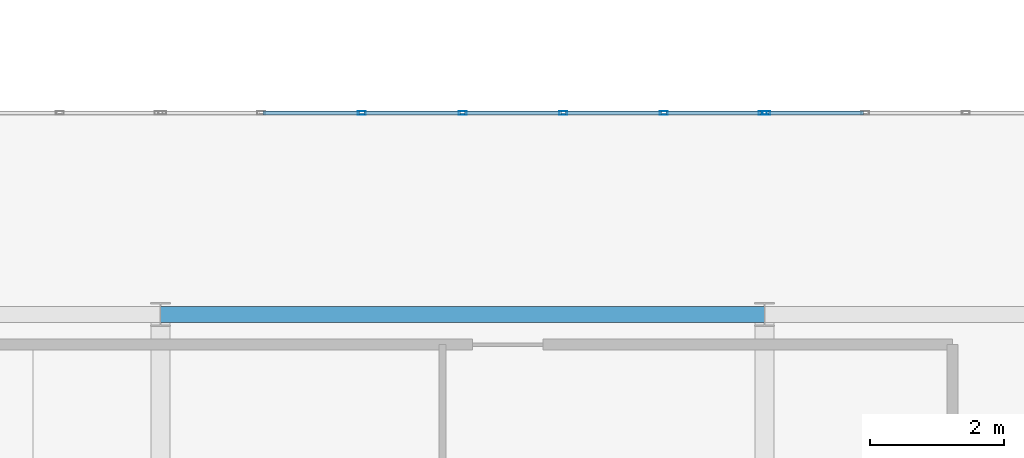
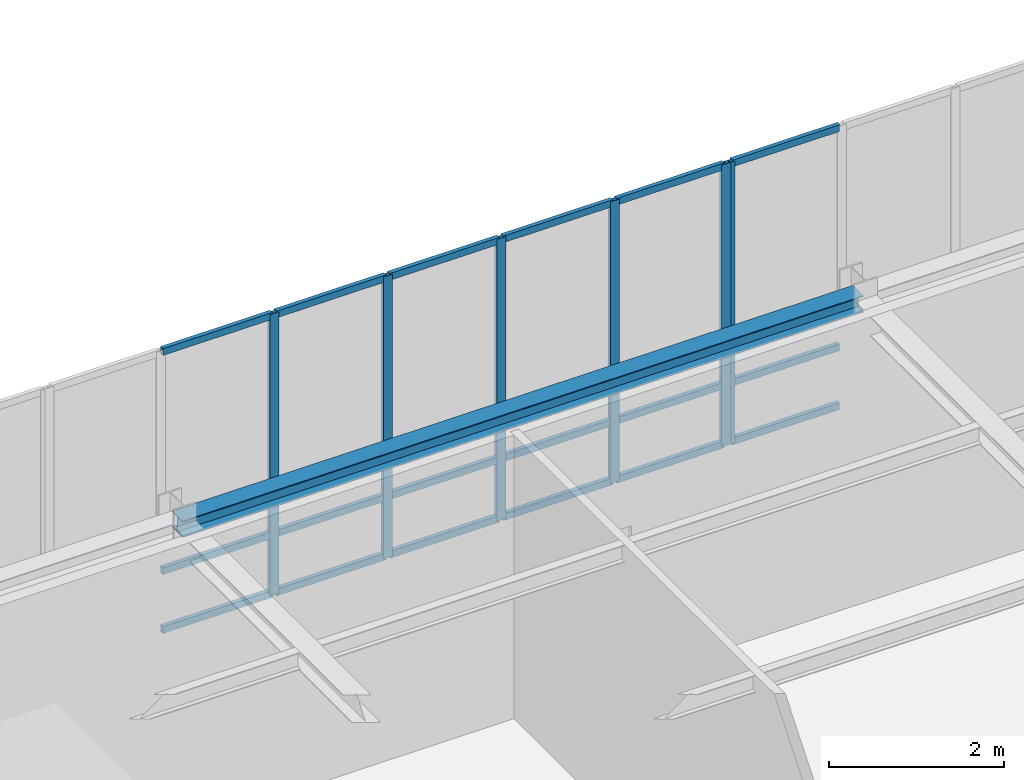
# One storey, part 24 of 97: 24 members, 1 beam, 2 elements without a shape of their own.
"""IFC4 building model written with IfcOpenShell, lengths in metres."""

from ifc_helpers import new_model, si_unit, direction, frame, origin, origin_2d, place, context, subcontext, project, spatial, hollow_rectangle, i_section, extrude, material, material_profile, profile_set, type_object, element, aggregate, save


model = new_model("IFC4")

# Units and contexts
model_context = context("Model", 3, precision=1e-05, world=origin(), true_north=direction((0.0, 1.0)))
body_context = subcontext(model_context, "Body", "Model", "MODEL_VIEW")
ifc_project = project(units=[si_unit("LENGTHUNIT", "METRE"), si_unit("AREAUNIT", "SQUARE_METRE"), si_unit("VOLUMEUNIT", "CUBIC_METRE"), si_unit("PLANEANGLEUNIT", "RADIAN"), si_unit("MASSUNIT", "GRAM", prefix="KILO")], contexts=[model_context])

# Site, building, storey
site_placement = place(None, origin())
site = spatial("IfcSite", under=ifc_project, at=site_placement, CompositionType="ELEMENT")
building_placement = place(site_placement, origin())
building = spatial("IfcBuilding", under=site, at=building_placement, Name="Lykobir Media Centre", CompositionType="ELEMENT")
storey_placement = place(building_placement, frame((0.0, 0.0, 23.39990234375)))
storey = spatial("IfcBuildingStorey", under=building, at=storey_placement, Name="L05", CompositionType="ELEMENT", Elevation=23.39990234375)

# Curtain wall, members
ifc_material_1 = material(Name="Anodized Aluminium AW-6060", Category="aluminium")
curtain_wall_type = type_object("IfcCurtainWallType", Name="CW-COURT-B", PredefinedType="NOTDEFINED", material=ifc_material_1)
curtain_wall_1_placement = place(storey_placement, origin())
curtain_wall_1 = element("IfcCurtainWall", 1, at=curtain_wall_1_placement, inside=storey, type_object=curtain_wall_type, Name="Curtain wall CW2-L05-0192", PredefinedType="NOTDEFINED")
ifc_material_profile_1 = material_profile(ifc_material_1, hollow_rectangle(XDim=0.054931640625, YDim=0.1201171875, WallThickness=0.003173828125, at=origin_2d()), Name="ALU MULLION 55x120")
ifc_profile_set_1 = profile_set([ifc_material_profile_1], Name="Anodized Aluminium AW-6060")
member_type_1 = type_object("IfcMemberType", Name="CWM-120", PredefinedType="MULLION", material=ifc_profile_set_1)
member_1_placement = place(storey_placement, frame((57.0, 21.0, 0.0), z_axis=(0.0, 0.0, 1.0), x_axis=(0.0, 1.0, 0.0)))
member_1 = element("IfcMember", 2, at=member_1_placement, type_object=member_type_1, Name="CW2-L05-0192 mullion 3", PredefinedType="MULLION", context=body_context, shape_type="SweptSolid", body=[
    extrude(hollow_rectangle(XDim=0.054931640625, YDim=0.1201171875, WallThickness=0.003173828125, at=origin_2d()), origin(), (0.0, 0.0, 1.0), 3.940185546875),
])
member_2_placement = place(storey_placement, frame((58.5, 21.0, 0.0), z_axis=(0.0, 0.0, 1.0), x_axis=(0.0, 1.0, 0.0)))
member_2 = element("IfcMember", 3, at=member_2_placement, type_object=member_type_1, Name="CW2-L05-0192 mullion 4", PredefinedType="MULLION", context=body_context, shape_type="SweptSolid", body=[
    extrude(hollow_rectangle(XDim=0.054931640625, YDim=0.1201171875, WallThickness=0.003173828125, at=origin_2d()), origin(), (0.0, 0.0, 1.0), 3.940185546875),
])
member_3_placement = place(storey_placement, frame((60.0, 21.0, 0.0), z_axis=(0.0, 0.0, 1.0), x_axis=(0.0, 1.0, 0.0)))
member_3 = element("IfcMember", 4, at=member_3_placement, type_object=member_type_1, Name="CW2-L05-0192 mullion 5", PredefinedType="MULLION", context=body_context, shape_type="SweptSolid", body=[
    extrude(hollow_rectangle(XDim=0.054931640625, YDim=0.1201171875, WallThickness=0.003173828125, at=origin_2d()), origin(), (0.0, 0.0, 1.0), 3.940185546875),
])
member_4_placement = place(storey_placement, frame((61.5, 21.0, 0.0), z_axis=(0.0, 0.0, 1.0), x_axis=(0.0, 1.0, 0.0)))
member_4 = element("IfcMember", 5, at=member_4_placement, type_object=member_type_1, Name="CW2-L05-0192 mullion 6", PredefinedType="MULLION", context=body_context, shape_type="SweptSolid", body=[
    extrude(hollow_rectangle(XDim=0.054931640625, YDim=0.1201171875, WallThickness=0.003173828125, at=origin_2d()), origin(), (0.0, 0.0, 1.0), 3.940185546875),
])
member_5_placement = place(storey_placement, frame((62.972412109375, 21.0, 0.0), z_axis=(0.0, 0.0, 1.0), x_axis=(0.0, 1.0, 0.0)))
member_5 = element("IfcMember", 6, at=member_5_placement, type_object=member_type_1, Name="CW2-L05-0192 mullion 7", PredefinedType="MULLION", context=body_context, shape_type="SweptSolid", body=[
    extrude(hollow_rectangle(XDim=0.054931640625, YDim=0.1201171875, WallThickness=0.003173828125, at=origin_2d()), origin(), (0.0, 0.0, 1.0), 3.940185546875),
])

# Curtain wall, member
curtain_wall_2_placement = place(storey_placement, origin())
curtain_wall_2 = element("IfcCurtainWall", 7, at=curtain_wall_2_placement, inside=storey, type_object=curtain_wall_type, Name="Curtain wall CW2-L05-0193", PredefinedType="NOTDEFINED")
member_6_placement = place(storey_placement, frame((63.027587890625, 21.0, 0.0), z_axis=(0.0, 0.0, 1.0), x_axis=(0.0, 1.0, 0.0)))
member_6 = element("IfcMember", 8, at=member_6_placement, type_object=member_type_1, Name="CW2-L05-0193 mullion 1", PredefinedType="MULLION", context=body_context, shape_type="SweptSolid", body=[
    extrude(hollow_rectangle(XDim=0.054931640625, YDim=0.1201171875, WallThickness=0.003173828125, at=origin_2d()), origin(), (0.0, 0.0, 1.0), 3.940185546875),
])

# Member
ifc_material_profile_2 = material_profile(ifc_material_1, hollow_rectangle(XDim=0.054931640625, YDim=0.094970703125, WallThickness=0.0029296875, at=origin_2d()), Name="ALU TRANSOM 55x95")
ifc_profile_set_2 = profile_set([ifc_material_profile_2], Name="Anodized Aluminium AW-6060")
member_type_2 = type_object("IfcMemberType", Name="CWT-095", PredefinedType="USERDEFINED", material=ifc_profile_set_2)
member_7_placement = place(storey_placement, frame((55.527587890625, 21.0, 0.027587890625), z_axis=(1.0, 0.0, 0.0), x_axis=(0.0, 1.0, 0.0)))
member_7 = element("IfcMember", 9, at=member_7_placement, type_object=member_type_2, Name="CW2-L05-0192 transom 2.1", ObjectType="TRANSOM", PredefinedType="USERDEFINED", context=body_context, shape_type="SweptSolid", body=[
    extrude(hollow_rectangle(XDim=0.054931640625, YDim=0.094970703125, WallThickness=0.0029296875, at=origin_2d()), origin(), (0.0, 0.0, 1.0), 1.44482421875),
])

member_8_placement = place(storey_placement, frame((55.527587890625, 21.0, 0.85009765625), z_axis=(1.0, 0.0, 0.0), x_axis=(0.0, 1.0, 0.0)))
member_8 = element("IfcMember", 10, at=member_8_placement, type_object=member_type_2, Name="CW2-L05-0192 transom 2.2", ObjectType="TRANSOM", PredefinedType="USERDEFINED", context=body_context, shape_type="SweptSolid", body=[
    extrude(hollow_rectangle(XDim=0.054931640625, YDim=0.094970703125, WallThickness=0.0029296875, at=origin_2d()), origin(), (0.0, 0.0, 1.0), 1.44482421875),
])

member_9_placement = place(storey_placement, frame((55.527587890625, 21.0, 3.91259765625), z_axis=(1.0, 0.0, 0.0), x_axis=(0.0, 1.0, 0.0)))
member_9 = element("IfcMember", 11, at=member_9_placement, type_object=member_type_2, Name="CW2-L05-0192 transom 2.3", ObjectType="TRANSOM", PredefinedType="USERDEFINED", context=body_context, shape_type="SweptSolid", body=[
    extrude(hollow_rectangle(XDim=0.054931640625, YDim=0.094970703125, WallThickness=0.0029296875, at=origin_2d()), origin(), (0.0, 0.0, 1.0), 1.44482421875),
])

member_10_placement = place(storey_placement, frame((57.027587890625, 21.0, 0.027587890625), z_axis=(1.0, 0.0, 0.0), x_axis=(0.0, 1.0, 0.0)))
member_10 = element("IfcMember", 12, at=member_10_placement, type_object=member_type_2, Name="CW2-L05-0192 transom 3.1", ObjectType="TRANSOM", PredefinedType="USERDEFINED", context=body_context, shape_type="SweptSolid", body=[
    extrude(hollow_rectangle(XDim=0.054931640625, YDim=0.094970703125, WallThickness=0.0029296875, at=origin_2d()), origin(), (0.0, 0.0, 1.0), 1.44482421875),
])

member_11_placement = place(storey_placement, frame((57.027587890625, 21.0, 0.85009765625), z_axis=(1.0, 0.0, 0.0), x_axis=(0.0, 1.0, 0.0)))
member_11 = element("IfcMember", 13, at=member_11_placement, type_object=member_type_2, Name="CW2-L05-0192 transom 3.2", ObjectType="TRANSOM", PredefinedType="USERDEFINED", context=body_context, shape_type="SweptSolid", body=[
    extrude(hollow_rectangle(XDim=0.054931640625, YDim=0.094970703125, WallThickness=0.0029296875, at=origin_2d()), origin(), (0.0, 0.0, 1.0), 1.44482421875),
])

member_12_placement = place(storey_placement, frame((57.027587890625, 21.0, 3.91259765625), z_axis=(1.0, 0.0, 0.0), x_axis=(0.0, 1.0, 0.0)))
member_12 = element("IfcMember", 14, at=member_12_placement, type_object=member_type_2, Name="CW2-L05-0192 transom 3.3", ObjectType="TRANSOM", PredefinedType="USERDEFINED", context=body_context, shape_type="SweptSolid", body=[
    extrude(hollow_rectangle(XDim=0.054931640625, YDim=0.094970703125, WallThickness=0.0029296875, at=origin_2d()), origin(), (0.0, 0.0, 1.0), 1.44482421875),
])

member_13_placement = place(storey_placement, frame((58.527587890625, 21.0, 0.027587890625), z_axis=(1.0, 0.0, 0.0), x_axis=(0.0, 1.0, 0.0)))
member_13 = element("IfcMember", 15, at=member_13_placement, type_object=member_type_2, Name="CW2-L05-0192 transom 4.1", ObjectType="TRANSOM", PredefinedType="USERDEFINED", context=body_context, shape_type="SweptSolid", body=[
    extrude(hollow_rectangle(XDim=0.054931640625, YDim=0.094970703125, WallThickness=0.0029296875, at=origin_2d()), origin(), (0.0, 0.0, 1.0), 1.44482421875),
])

member_14_placement = place(storey_placement, frame((58.527587890625, 21.0, 0.85009765625), z_axis=(1.0, 0.0, 0.0), x_axis=(0.0, 1.0, 0.0)))
member_14 = element("IfcMember", 16, at=member_14_placement, type_object=member_type_2, Name="CW2-L05-0192 transom 4.2", ObjectType="TRANSOM", PredefinedType="USERDEFINED", context=body_context, shape_type="SweptSolid", body=[
    extrude(hollow_rectangle(XDim=0.054931640625, YDim=0.094970703125, WallThickness=0.0029296875, at=origin_2d()), origin(), (0.0, 0.0, 1.0), 1.44482421875),
])

member_15_placement = place(storey_placement, frame((58.527587890625, 21.0, 3.91259765625), z_axis=(1.0, 0.0, 0.0), x_axis=(0.0, 1.0, 0.0)))
member_15 = element("IfcMember", 17, at=member_15_placement, type_object=member_type_2, Name="CW2-L05-0192 transom 4.3", ObjectType="TRANSOM", PredefinedType="USERDEFINED", context=body_context, shape_type="SweptSolid", body=[
    extrude(hollow_rectangle(XDim=0.054931640625, YDim=0.094970703125, WallThickness=0.0029296875, at=origin_2d()), origin(), (0.0, 0.0, 1.0), 1.44482421875),
])

member_16_placement = place(storey_placement, frame((60.027587890625, 21.0, 0.027587890625), z_axis=(1.0, 0.0, 0.0), x_axis=(0.0, 1.0, 0.0)))
member_16 = element("IfcMember", 18, at=member_16_placement, type_object=member_type_2, Name="CW2-L05-0192 transom 5.1", ObjectType="TRANSOM", PredefinedType="USERDEFINED", context=body_context, shape_type="SweptSolid", body=[
    extrude(hollow_rectangle(XDim=0.054931640625, YDim=0.094970703125, WallThickness=0.0029296875, at=origin_2d()), origin(), (0.0, 0.0, 1.0), 1.44482421875),
])

member_17_placement = place(storey_placement, frame((60.027587890625, 21.0, 0.85009765625), z_axis=(1.0, 0.0, 0.0), x_axis=(0.0, 1.0, 0.0)))
member_17 = element("IfcMember", 19, at=member_17_placement, type_object=member_type_2, Name="CW2-L05-0192 transom 5.2", ObjectType="TRANSOM", PredefinedType="USERDEFINED", context=body_context, shape_type="SweptSolid", body=[
    extrude(hollow_rectangle(XDim=0.054931640625, YDim=0.094970703125, WallThickness=0.0029296875, at=origin_2d()), origin(), (0.0, 0.0, 1.0), 1.44482421875),
])

member_18_placement = place(storey_placement, frame((60.027587890625, 21.0, 3.91259765625), z_axis=(1.0, 0.0, 0.0), x_axis=(0.0, 1.0, 0.0)))
member_18 = element("IfcMember", 20, at=member_18_placement, type_object=member_type_2, Name="CW2-L05-0192 transom 5.3", ObjectType="TRANSOM", PredefinedType="USERDEFINED", context=body_context, shape_type="SweptSolid", body=[
    extrude(hollow_rectangle(XDim=0.054931640625, YDim=0.094970703125, WallThickness=0.0029296875, at=origin_2d()), origin(), (0.0, 0.0, 1.0), 1.44482421875),
])

member_19_placement = place(storey_placement, frame((61.527587890625, 21.0, 0.027587890625), z_axis=(1.0, 0.0, 0.0), x_axis=(0.0, 1.0, 0.0)))
member_19 = element("IfcMember", 21, at=member_19_placement, type_object=member_type_2, Name="CW2-L05-0192 transom 6.1", ObjectType="TRANSOM", PredefinedType="USERDEFINED", context=body_context, shape_type="SweptSolid", body=[
    extrude(hollow_rectangle(XDim=0.054931640625, YDim=0.094970703125, WallThickness=0.0029296875, at=origin_2d()), origin(), (0.0, 0.0, 1.0), 1.41748046875),
])

member_20_placement = place(storey_placement, frame((61.527587890625, 21.0, 0.85009765625), z_axis=(1.0, 0.0, 0.0), x_axis=(0.0, 1.0, 0.0)))
member_20 = element("IfcMember", 22, at=member_20_placement, type_object=member_type_2, Name="CW2-L05-0192 transom 6.2", ObjectType="TRANSOM", PredefinedType="USERDEFINED", context=body_context, shape_type="SweptSolid", body=[
    extrude(hollow_rectangle(XDim=0.054931640625, YDim=0.094970703125, WallThickness=0.0029296875, at=origin_2d()), origin(), (0.0, 0.0, 1.0), 1.41748046875),
])

member_21_placement = place(storey_placement, frame((61.527587890625, 21.0, 3.91259765625), z_axis=(1.0, 0.0, 0.0), x_axis=(0.0, 1.0, 0.0)))
member_21 = element("IfcMember", 23, at=member_21_placement, type_object=member_type_2, Name="CW2-L05-0192 transom 6.3", ObjectType="TRANSOM", PredefinedType="USERDEFINED", context=body_context, shape_type="SweptSolid", body=[
    extrude(hollow_rectangle(XDim=0.054931640625, YDim=0.094970703125, WallThickness=0.0029296875, at=origin_2d()), origin(), (0.0, 0.0, 1.0), 1.41748046875),
])

aggregate(curtain_wall_1, [member_1, member_2, member_3, member_4, member_5, member_7, member_8, member_9, member_10, member_11, member_12, member_13, member_14, member_15, member_16, member_17, member_18, member_19, member_20, member_21])

member_22_placement = place(storey_placement, frame((63.054931640625, 21.0, 0.027587890625), z_axis=(1.0, 0.0, 0.0), x_axis=(0.0, 1.0, 0.0)))
member_22 = element("IfcMember", 24, at=member_22_placement, type_object=member_type_2, Name="CW2-L05-0193 transom 1.1", ObjectType="TRANSOM", PredefinedType="USERDEFINED", context=body_context, shape_type="SweptSolid", body=[
    extrude(hollow_rectangle(XDim=0.054931640625, YDim=0.094970703125, WallThickness=0.0029296875, at=origin_2d()), origin(), (0.0, 0.0, 1.0), 1.41748046875),
])

member_23_placement = place(storey_placement, frame((63.054931640625, 21.0, 0.85009765625), z_axis=(1.0, 0.0, 0.0), x_axis=(0.0, 1.0, 0.0)))
member_23 = element("IfcMember", 25, at=member_23_placement, type_object=member_type_2, Name="CW2-L05-0193 transom 1.2", ObjectType="TRANSOM", PredefinedType="USERDEFINED", context=body_context, shape_type="SweptSolid", body=[
    extrude(hollow_rectangle(XDim=0.054931640625, YDim=0.094970703125, WallThickness=0.0029296875, at=origin_2d()), origin(), (0.0, 0.0, 1.0), 1.41748046875),
])

member_24_placement = place(storey_placement, frame((63.054931640625, 21.0, 3.91259765625), z_axis=(1.0, 0.0, 0.0), x_axis=(0.0, 1.0, 0.0)))
member_24 = element("IfcMember", 26, at=member_24_placement, type_object=member_type_2, Name="CW2-L05-0193 transom 1.3", ObjectType="TRANSOM", PredefinedType="USERDEFINED", context=body_context, shape_type="SweptSolid", body=[
    extrude(hollow_rectangle(XDim=0.054931640625, YDim=0.094970703125, WallThickness=0.0029296875, at=origin_2d()), origin(), (0.0, 0.0, 1.0), 1.41748046875),
])

aggregate(curtain_wall_2, [member_6, member_22, member_23, member_24])

# Beam
ifc_material_2 = material(Name="Steel S355", Category="steel")
ifc_material_profile_3 = material_profile(ifc_material_2, i_section(OverallWidth=0.239990234375, OverallDepth=0.22998046875, WebThickness=0.007568359375, FlangeThickness=0.011962890625, at=origin_2d()), Name="HEA 240")
ifc_profile_set_3 = profile_set([ifc_material_profile_3], Name="Steel S355")
beam_type = type_object("IfcBeamType", Name="SP-HEA240", PredefinedType="SPANDREL", material=ifc_profile_set_3)
beam_placement = place(storey_placement, frame((54.0, 18.0, 3.84521484375), z_axis=(1.0, 0.0, 0.0), x_axis=(0.0, 1.0, 0.0)))
element("IfcBeam", 27, at=beam_placement, inside=storey, type_object=beam_type, Name="Beam BM-L05-0540-0180-0630-0180-2724", PredefinedType="SPANDREL", context=body_context, shape_type="SweptSolid", body=[
    extrude(i_section(OverallWidth=0.239990234375, OverallDepth=0.22998046875, WebThickness=0.007568359375, FlangeThickness=0.011962890625, at=origin_2d()), origin(), (0.0, 0.0, 1.0), 9.0),
])

save(model, "model.ifc")
